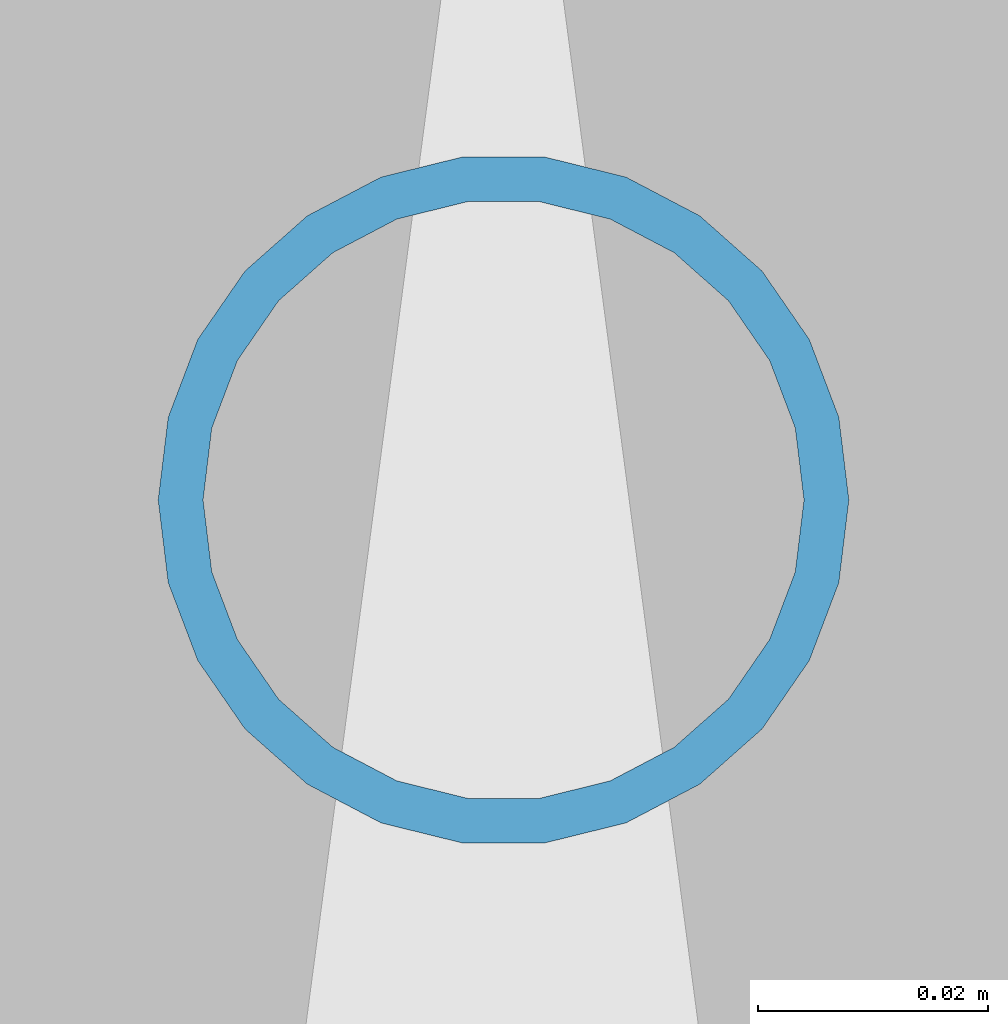
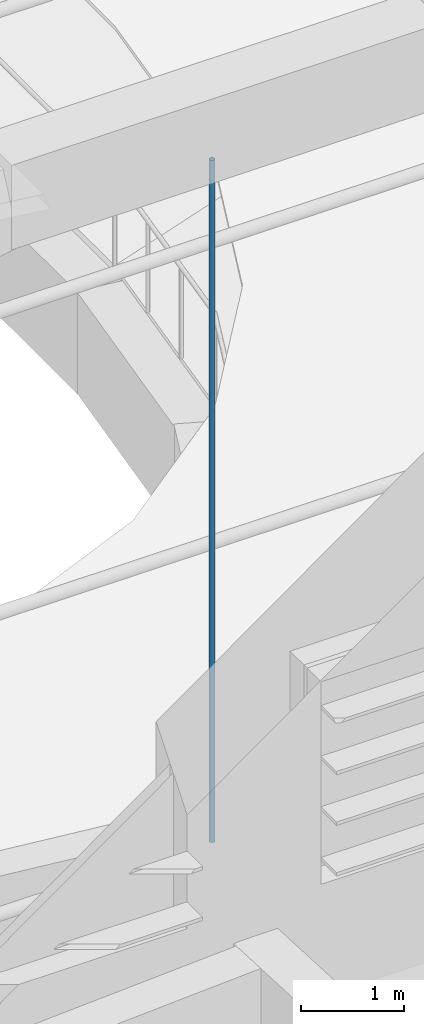
# One storey, part 17 of 94: 1 member.
"""IFC4 building model written with IfcOpenShell, lengths in metres."""

from ifc_helpers import new_model, si_unit, direction, frame, origin, origin_2d, place, context, subcontext, project, spatial, hollow_circle, extrude, material, material_profile, profile_set, type_object, element, save


model = new_model("IFC4")

# Units and contexts
model_context = context("Model", 3, precision=1e-05, world=origin(), true_north=direction((0.0, 1.0)))
body_context = subcontext(model_context, "Body", "Model", "MODEL_VIEW")
ifc_project = project(units=[si_unit("LENGTHUNIT", "METRE"), si_unit("AREAUNIT", "SQUARE_METRE"), si_unit("VOLUMEUNIT", "CUBIC_METRE"), si_unit("PLANEANGLEUNIT", "RADIAN"), si_unit("MASSUNIT", "GRAM", prefix="KILO")], contexts=[model_context])

# Site, building, storey
site_placement = place(None, origin())
site = spatial("IfcSite", under=ifc_project, at=site_placement, CompositionType="ELEMENT")
building_placement = place(site_placement, origin())
building = spatial("IfcBuilding", under=site, at=building_placement, Name="Lunette Opera House", CompositionType="ELEMENT")
storey_placement = place(building_placement, frame((0.0, 0.0, 22.5)))
storey = spatial("IfcBuildingStorey", under=building, at=storey_placement, Name="L04", CompositionType="ELEMENT", Elevation=22.5)

# Member
ifc_material = material(Name="Steel S355", Category="steel")
ifc_material_profile = material_profile(ifc_material, hollow_circle(Radius=0.030029296875, WallThickness=0.00390625, at=origin_2d()), Name="CHS 60.3X4")
ifc_profile_set = profile_set([ifc_material_profile], Name="Steel S355")
member_type = type_object("IfcMemberType", Name="CHS 60.3X4", PredefinedType="POST", material=ifc_profile_set)
member_placement = place(storey_placement, frame((96.0, 68.714111328125, 2.72998046875), z_axis=(0.0, 0.0, 1.0), x_axis=(1.0, 0.0, 0.0)))
element("IfcMember", 1, at=member_placement, inside=storey, type_object=member_type, Name="mem-AU-L04-HG2-96", PredefinedType="POST", context=body_context, shape_type="SweptSolid", body=[
    extrude(hollow_circle(Radius=0.030029296875, WallThickness=0.00390625, at=origin_2d()), origin(), (0.0, 0.0, 1.0), 8.08203125),
])

save(model, "model.ifc")
